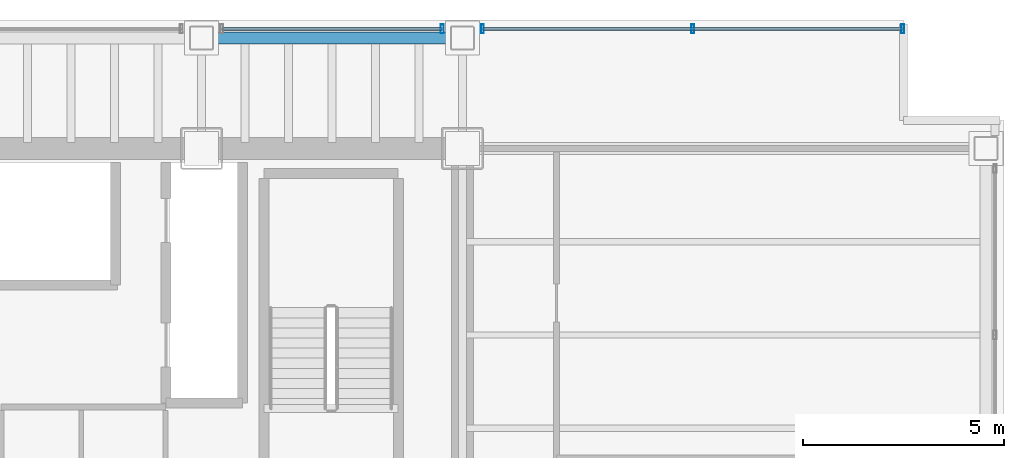
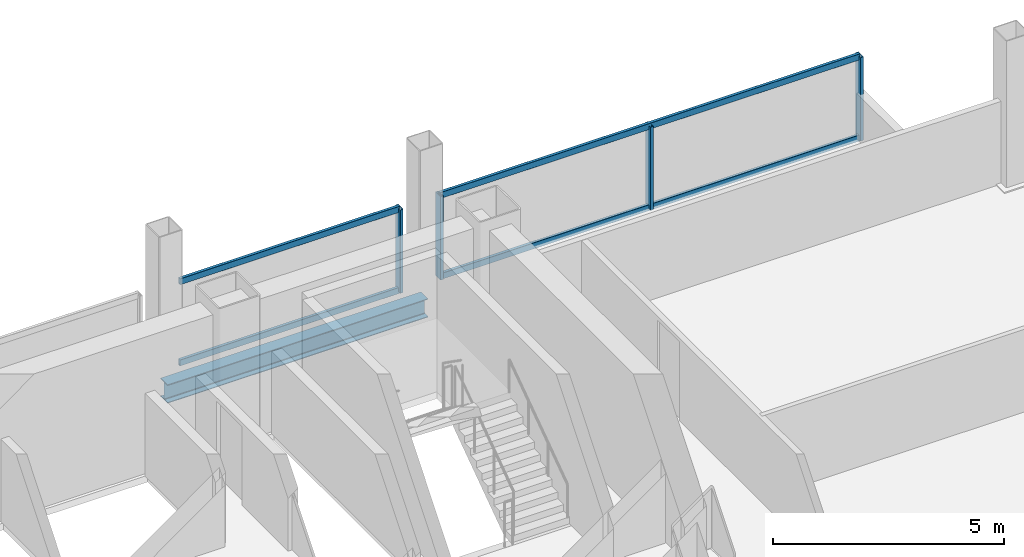
# One storey, part 16 of 21: 8 members, 1 beam, 2 elements without a shape of their own.
"""IFC4 building model written with IfcOpenShell, lengths in metres."""

from ifc_helpers import new_model, si_unit, direction, frame, origin, origin_2d, place, context, subcontext, project, spatial, hollow_rectangle, i_section, extrude, material, material_profile, profile_set, type_object, element, aggregate, save


model = new_model("IFC4")

# Units and contexts
model_context = context("Model", 3, precision=1e-05, world=origin(), true_north=direction((0.0, 1.0)))
body_context = subcontext(model_context, "Body", "Model", "MODEL_VIEW")
ifc_project = project(units=[si_unit("LENGTHUNIT", "METRE"), si_unit("AREAUNIT", "SQUARE_METRE"), si_unit("VOLUMEUNIT", "CUBIC_METRE"), si_unit("PLANEANGLEUNIT", "RADIAN"), si_unit("MASSUNIT", "GRAM", prefix="KILO")], contexts=[model_context])

# Site, building, storey
site_placement = place(None, origin())
site = spatial("IfcSite", under=ifc_project, at=site_placement, CompositionType="ELEMENT")
building_placement = place(site_placement, origin())
building = spatial("IfcBuilding", under=site, at=building_placement, Name="Noeulbin Bourse Tower", CompositionType="ELEMENT")
storey_placement = place(building_placement, frame((0.0, 0.0, 96.699951171875)))
storey = spatial("IfcBuildingStorey", under=building, at=storey_placement, Name="L24", CompositionType="ELEMENT", Elevation=96.699951171875)

# Beam
ifc_material_1 = material(Name="Steel S355", Category="steel")
ifc_material_profile_1 = material_profile(ifc_material_1, i_section(OverallWidth=0.300048828125, OverallDepth=0.488037109375, WebThickness=0.010986328125, FlangeThickness=0.01806640625, FilletRadius=0.02197265625, at=origin_2d()), Name="H-488x300x11x18", Category="LoadBearing")
ifc_profile_set_1 = profile_set([ifc_material_profile_1], Name="Steel S355")
beam_type = type_object("IfcBeamType", Name="BM-SPN-488", PredefinedType="SPANDREL", material=ifc_profile_set_1)
beam_placement = place(storey_placement, frame((37.5, 41.050048828125, -0.424072265625), z_axis=(1.0, 0.0, 0.0), x_axis=(0.0, 1.0, 0.0)))
element("IfcBeam", 1, at=beam_placement, inside=storey, type_object=beam_type, Name="North Spandrel L24-4", PredefinedType="SPANDREL", context=body_context, shape_type="SweptSolid", body=[
    extrude(i_section(OverallWidth=0.300048828125, OverallDepth=0.488037109375, WebThickness=0.010986328125, FlangeThickness=0.01806640625, FilletRadius=0.02197265625, at=origin_2d()), origin(), (0.0, 0.0, 1.0), 6.5),
])

# Curtain wall, member
ifc_material_2 = material(Name="Dark Solar-Control Double Glazing", Category="glass")
curtain_wall_type = type_object("IfcCurtainWallType", Name="CW-SYS-2", PredefinedType="NOTDEFINED", material=ifc_material_2)
curtain_wall_1_placement = place(storey_placement, origin())
curtain_wall_1 = element("IfcCurtainWall", 2, at=curtain_wall_1_placement, inside=storey, type_object=curtain_wall_type, Name="Unitised Curtain Wall CW-L24-N-S5", PredefinedType="NOTDEFINED")
ifc_material_3 = material(Name="Anodised Aluminium 6063-T6", Category="aluminium")
ifc_material_profile_2 = material_profile(ifc_material_3, hollow_rectangle(XDim=0.074951171875, YDim=0.219970703125, WallThickness=0.0048828125, InnerFilletRadius=0.00244140625, OuterFilletRadius=0.0048828125, at=origin_2d()), Name="ALU-MULL-75x220x5", Category="LoadBearing")
ifc_profile_set_2 = profile_set([ifc_material_profile_2], Name="Anodised Aluminium 6063-T6")
member_type_1 = type_object("IfcMemberType", Name="CW-SYS-2-MUL", PredefinedType="MULLION", material=ifc_profile_set_2)
member_1_placement = place(storey_placement, frame((43.5, 41.280029296875, -0.02001953125), z_axis=(0.0, 0.0, 1.0), x_axis=(1.0, 0.0, 0.0)))
member_1 = element("IfcMember", 3, at=member_1_placement, type_object=member_type_1, Name="Curtain Wall Mullion CW-L24-N-S5-M01", PredefinedType="MULLION", context=body_context, shape_type="SweptSolid", body=[
    extrude(hollow_rectangle(XDim=0.074951171875, YDim=0.219970703125, WallThickness=0.0048828125, InnerFilletRadius=0.00244140625, OuterFilletRadius=0.0048828125, at=origin_2d()), origin(), (0.0, 0.0, 1.0), 2.199951171875),
])

# Curtain wall, members
curtain_wall_2_placement = place(storey_placement, origin())
curtain_wall_2 = element("IfcCurtainWall", 4, at=curtain_wall_2_placement, inside=storey, type_object=curtain_wall_type, Name="Unitised Curtain Wall CW-L24-N-S6", PredefinedType="NOTDEFINED")
member_2_placement = place(storey_placement, frame((44.5, 41.280029296875, -0.02001953125), z_axis=(0.0, 0.0, 1.0), x_axis=(1.0, 0.0, 0.0)))
member_2 = element("IfcMember", 5, at=member_2_placement, type_object=member_type_1, Name="Curtain Wall Mullion CW-L24-N-S6-M00", PredefinedType="MULLION", context=body_context, shape_type="SweptSolid", body=[
    extrude(hollow_rectangle(XDim=0.074951171875, YDim=0.219970703125, WallThickness=0.0048828125, InnerFilletRadius=0.00244140625, OuterFilletRadius=0.0048828125, at=origin_2d()), origin(), (0.0, 0.0, 1.0), 2.199951171875),
])
member_3_placement = place(storey_placement, frame((49.739990234375, 41.280029296875, -0.02001953125), z_axis=(0.0, 0.0, 1.0), x_axis=(1.0, 0.0, 0.0)))
member_3 = element("IfcMember", 6, at=member_3_placement, type_object=member_type_1, Name="Curtain Wall Mullion CW-L24-N-S6-M01", PredefinedType="MULLION", context=body_context, shape_type="SweptSolid", body=[
    extrude(hollow_rectangle(XDim=0.074951171875, YDim=0.219970703125, WallThickness=0.0048828125, InnerFilletRadius=0.00244140625, OuterFilletRadius=0.0048828125, at=origin_2d()), origin(), (0.0, 0.0, 1.0), 2.199951171875),
])
member_4_placement = place(storey_placement, frame((54.97998046875, 41.280029296875, -0.02001953125), z_axis=(0.0, 0.0, 1.0), x_axis=(1.0, 0.0, 0.0)))
member_4 = element("IfcMember", 7, at=member_4_placement, type_object=member_type_1, Name="Curtain Wall Mullion CW-L24-N-S6-M02", PredefinedType="MULLION", context=body_context, shape_type="SweptSolid", body=[
    extrude(hollow_rectangle(XDim=0.074951171875, YDim=0.219970703125, WallThickness=0.0048828125, InnerFilletRadius=0.00244140625, OuterFilletRadius=0.0048828125, at=origin_2d()), origin(), (0.0, 0.0, 1.0), 2.199951171875),
])

# Member
ifc_material_profile_3 = material_profile(ifc_material_3, hollow_rectangle(XDim=0.074951171875, YDim=0.159912109375, WallThickness=0.0048828125, InnerFilletRadius=0.00244140625, OuterFilletRadius=0.0048828125, at=origin_2d()), Name="ALU-TRAN-75x160x5", Category="LoadBearing")
ifc_profile_set_3 = profile_set([ifc_material_profile_3], Name="Anodised Aluminium 6063-T6")
member_type_2 = type_object("IfcMemberType", Name="CW-SYS-2-TRN", PredefinedType="USERDEFINED", material=ifc_profile_set_3)
member_5_placement = place(storey_placement, frame((38.010009765625, 41.280029296875, 0.010009765625), z_axis=(1.0, 0.0, 0.0), x_axis=(0.0, 1.0, 0.0)))
member_5 = element("IfcMember", 8, at=member_5_placement, type_object=member_type_2, Name="Curtain Wall Transom CW-L24-N-S5-T00", ObjectType="TRANSOM", PredefinedType="USERDEFINED", context=body_context, shape_type="SweptSolid", body=[
    extrude(hollow_rectangle(XDim=0.074951171875, YDim=0.159912109375, WallThickness=0.0048828125, InnerFilletRadius=0.00244140625, OuterFilletRadius=0.0048828125, at=origin_2d()), origin(), (0.0, 0.0, 1.0), 5.47998046875),
])

member_6_placement = place(storey_placement, frame((38.010009765625, 41.280029296875, 2.150146484375), z_axis=(1.0, 0.0, 0.0), x_axis=(0.0, 1.0, 0.0)))
member_6 = element("IfcMember", 9, at=member_6_placement, type_object=member_type_2, Name="Curtain Wall Transom CW-L24-N-S5-T01", ObjectType="TRANSOM", PredefinedType="USERDEFINED", context=body_context, shape_type="SweptSolid", body=[
    extrude(hollow_rectangle(XDim=0.074951171875, YDim=0.159912109375, WallThickness=0.0048828125, InnerFilletRadius=0.00244140625, OuterFilletRadius=0.0048828125, at=origin_2d()), origin(), (0.0, 0.0, 1.0), 5.47998046875),
])

aggregate(curtain_wall_1, [member_1, member_5, member_6])

member_7_placement = place(storey_placement, frame((44.510009765625, 41.280029296875, 0.010009765625), z_axis=(1.0, 0.0, 0.0), x_axis=(0.0, 1.0, 0.0)))
member_7 = element("IfcMember", 10, at=member_7_placement, type_object=member_type_2, Name="Curtain Wall Transom CW-L24-N-S6-T00", ObjectType="TRANSOM", PredefinedType="USERDEFINED", context=body_context, shape_type="SweptSolid", body=[
    extrude(hollow_rectangle(XDim=0.074951171875, YDim=0.159912109375, WallThickness=0.0048828125, InnerFilletRadius=0.00244140625, OuterFilletRadius=0.0048828125, at=origin_2d()), origin(), (0.0, 0.0, 1.0), 10.4599609375),
])

member_8_placement = place(storey_placement, frame((44.510009765625, 41.280029296875, 2.150146484375), z_axis=(1.0, 0.0, 0.0), x_axis=(0.0, 1.0, 0.0)))
member_8 = element("IfcMember", 11, at=member_8_placement, type_object=member_type_2, Name="Curtain Wall Transom CW-L24-N-S6-T01", ObjectType="TRANSOM", PredefinedType="USERDEFINED", context=body_context, shape_type="SweptSolid", body=[
    extrude(hollow_rectangle(XDim=0.074951171875, YDim=0.159912109375, WallThickness=0.0048828125, InnerFilletRadius=0.00244140625, OuterFilletRadius=0.0048828125, at=origin_2d()), origin(), (0.0, 0.0, 1.0), 10.4599609375),
])

aggregate(curtain_wall_2, [member_2, member_3, member_4, member_7, member_8])

save(model, "model.ifc")
